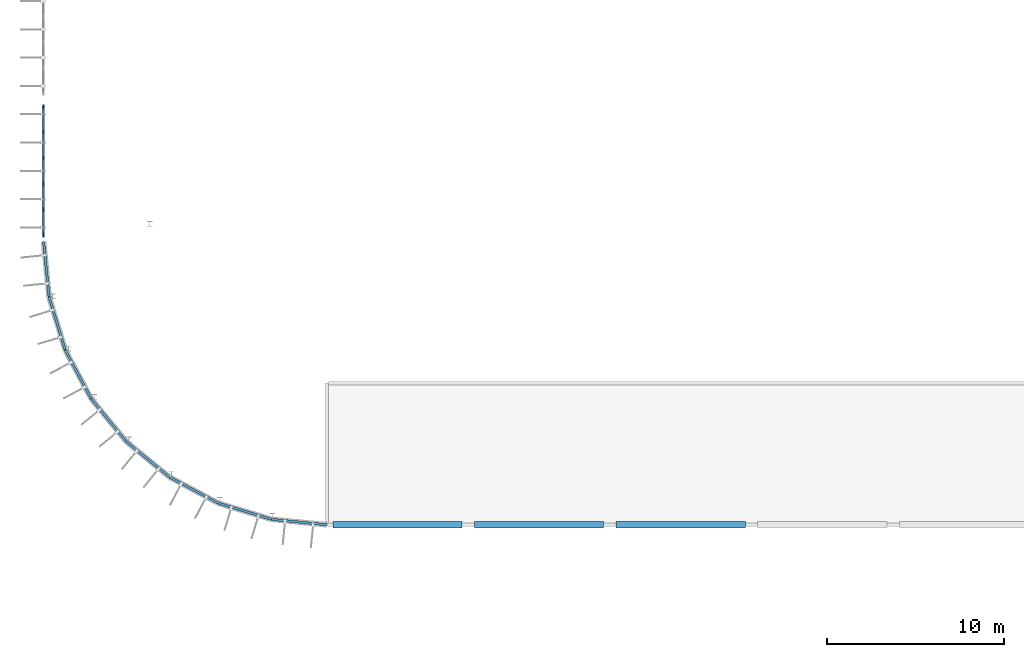
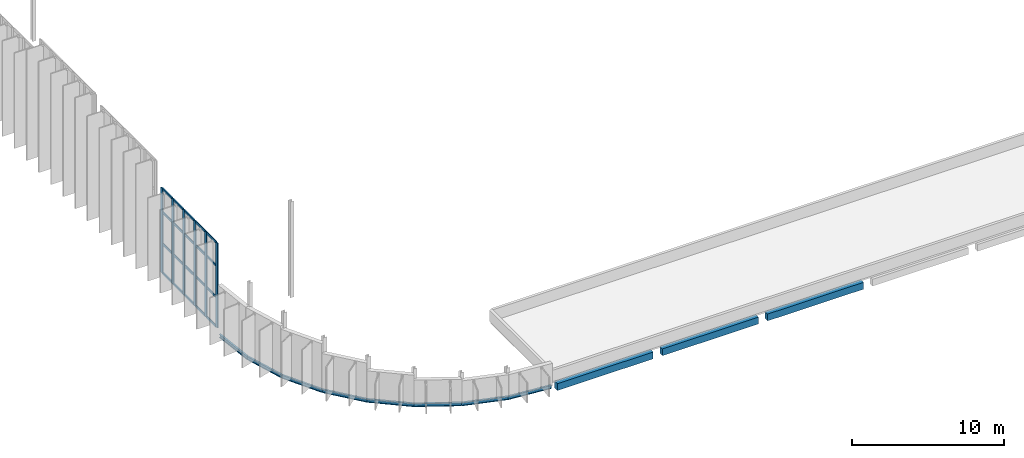
# One storey, part 4 of 38: 26 members, 11 beams, 1 element without a shape of its own.
"""IFC4 building model written with IfcOpenShell, lengths in metres."""

from ifc_helpers import new_model, si_unit, direction, frame, origin, origin_2d, place, context, subcontext, project, spatial, rectangle, i_section, extrude, material, layer, layer_set, material_profile, profile_set, type_object, element, aggregate, save


model = new_model("IFC4")

# Units and contexts
model_context = context("Model", 3, precision=1e-05, world=origin(), true_north=direction((0.0, 1.0)))
body_context = subcontext(model_context, "Body", "Model", "MODEL_VIEW")
ifc_project = project(units=[si_unit("LENGTHUNIT", "METRE"), si_unit("AREAUNIT", "SQUARE_METRE"), si_unit("VOLUMEUNIT", "CUBIC_METRE"), si_unit("PLANEANGLEUNIT", "RADIAN"), si_unit("MASSUNIT", "GRAM", prefix="KILO")], contexts=[model_context])

# Site, building, storey
site_placement = place(None, origin())
site = spatial("IfcSite", under=ifc_project, at=site_placement, CompositionType="ELEMENT")
building_placement = place(site_placement, origin())
building = spatial("IfcBuilding", under=site, at=building_placement, Name="Drelvana Railside Aquatics Centre", CompositionType="ELEMENT")
storey_placement = place(building_placement, frame((0.0, 0.0, 14.39990234375)))
storey = spatial("IfcBuildingStorey", under=building, at=storey_placement, Name="L03", CompositionType="ELEMENT", Elevation=14.39990234375)

# Curtain wall, members
ifc_material_1 = material(Name="Bronze-anodised aluminium curtain wall", Category="aluminium")
ifc_layer = layer(ifc_material_1, 0.219970703125, Name="Bronze-anodised aluminium curtain wall")
ifc_layer_set = layer_set([ifc_layer], Name="Bronze-anodised aluminium curtain wall")
curtain_wall_type = type_object("IfcCurtainWallType", Name="CW-Z3-HIGH", PredefinedType="NOTDEFINED", material=ifc_layer_set)
curtain_wall_placement = place(storey_placement, origin())
curtain_wall = element("IfcCurtainWall", 1, at=curtain_wall_placement, inside=storey, type_object=curtain_wall_type, Name="Curtain wall CW-03-044", PredefinedType="NOTDEFINED")
ifc_material_2 = material(Name="Bronze-anodised aluminium 6063-T6", Category="aluminium")
ifc_material_profile_1 = material_profile(ifc_material_2, rectangle(XDim=0.080078125, YDim=0.25, at=origin_2d()), Name="ALU-M 80x250")
ifc_profile_set_1 = profile_set([ifc_material_profile_1], Name="Bronze-anodised aluminium 6063-T6")
member_type_1 = type_object("IfcMemberType", Name="CW-Z3-HIGH-MUL", PredefinedType="MULLION", material=ifc_profile_set_1)
member_1_placement = place(storey_placement, frame((0.0, 32.384033203125, -0.005859375), z_axis=(0.0, 0.0, 1.0), x_axis=(-1.0, 0.0, 0.0)))
member_1 = element("IfcMember", 2, at=member_1_placement, type_object=member_type_1, Name="CW-03 mullion 1", PredefinedType="MULLION", context=body_context, shape_type="SweptSolid", body=[
    extrude(rectangle(XDim=0.080078125, YDim=0.25, at=origin_2d()), origin(), (0.0, 0.0, 1.0), 6.833984375),
])
member_2_placement = place(storey_placement, frame((0.0, 33.806396484375, -0.005859375), z_axis=(0.0, 0.0, 1.0), x_axis=(-1.0, 0.0, 0.0)))
member_2 = element("IfcMember", 3, at=member_2_placement, type_object=member_type_1, Name="CW-03 mullion 2", PredefinedType="MULLION", context=body_context, shape_type="SweptSolid", body=[
    extrude(rectangle(XDim=0.080078125, YDim=0.25, at=origin_2d()), origin(), (0.0, 0.0, 1.0), 6.833984375),
])
member_3_placement = place(storey_placement, frame((0.0, 35.268798828125, -0.005859375), z_axis=(0.0, 0.0, 1.0), x_axis=(-1.0, 0.0, 0.0)))
member_3 = element("IfcMember", 4, at=member_3_placement, type_object=member_type_1, Name="CW-03 mullion 3", PredefinedType="MULLION", context=body_context, shape_type="SweptSolid", body=[
    extrude(rectangle(XDim=0.080078125, YDim=0.25, at=origin_2d()), origin(), (0.0, 0.0, 1.0), 6.833984375),
])
member_4_placement = place(storey_placement, frame((0.0, 36.731201171875, -0.005859375), z_axis=(0.0, 0.0, 1.0), x_axis=(-1.0, 0.0, 0.0)))
member_4 = element("IfcMember", 5, at=member_4_placement, type_object=member_type_1, Name="CW-03 mullion 4", PredefinedType="MULLION", context=body_context, shape_type="SweptSolid", body=[
    extrude(rectangle(XDim=0.080078125, YDim=0.25, at=origin_2d()), origin(), (0.0, 0.0, 1.0), 6.833984375),
])
member_5_placement = place(storey_placement, frame((0.0, 38.193603515625, -0.005859375), z_axis=(0.0, 0.0, 1.0), x_axis=(-1.0, 0.0, 0.0)))
member_5 = element("IfcMember", 6, at=member_5_placement, type_object=member_type_1, Name="CW-03 mullion 5", PredefinedType="MULLION", context=body_context, shape_type="SweptSolid", body=[
    extrude(rectangle(XDim=0.080078125, YDim=0.25, at=origin_2d()), origin(), (0.0, 0.0, 1.0), 6.833984375),
])
member_6_placement = place(storey_placement, frame((0.0, 39.615966796875, -0.005859375), z_axis=(0.0, 0.0, 1.0), x_axis=(-1.0, 0.0, 0.0)))
member_6 = element("IfcMember", 7, at=member_6_placement, type_object=member_type_1, Name="CW-03 mullion 6", PredefinedType="MULLION", context=body_context, shape_type="SweptSolid", body=[
    extrude(rectangle(XDim=0.080078125, YDim=0.25, at=origin_2d()), origin(), (0.0, 0.0, 1.0), 6.833984375),
])
ifc_material_profile_2 = material_profile(ifc_material_2, rectangle(XDim=0.179931640625, YDim=0.074951171875, at=origin_2d()), Name="ALU-T 75x180")
ifc_profile_set_2 = profile_set([ifc_material_profile_2], Name="Bronze-anodised aluminium 6063-T6")
member_type_2 = type_object("IfcMemberType", Name="CW-Z3-HIGH-TRN", PredefinedType="USERDEFINED", material=ifc_profile_set_2)
member_7_placement = place(storey_placement, frame((0.0, 32.4189453125, 0.031494140625), z_axis=(0.0, 1.0, 0.0), x_axis=(0.0, 0.0, 1.0)))
member_7 = element("IfcMember", 8, at=member_7_placement, type_object=member_type_2, Name="CW-03 transom 1.1", ObjectType="TRANSOM", PredefinedType="USERDEFINED", context=body_context, shape_type="SweptSolid", body=[
    extrude(rectangle(XDim=0.179931640625, YDim=0.074951171875, at=origin_2d()), origin(), (0.0, 0.0, 1.0), 1.3525390625),
])
member_8_placement = place(storey_placement, frame((0.0, 32.4189453125, 2.385986328125), z_axis=(0.0, 1.0, 0.0), x_axis=(0.0, 0.0, 1.0)))
member_8 = element("IfcMember", 9, at=member_8_placement, type_object=member_type_2, Name="CW-03 transom 1.2", ObjectType="TRANSOM", PredefinedType="USERDEFINED", context=body_context, shape_type="SweptSolid", body=[
    extrude(rectangle(XDim=0.179931640625, YDim=0.074951171875, at=origin_2d()), origin(), (0.0, 0.0, 1.0), 1.3525390625),
])
member_9_placement = place(storey_placement, frame((0.0, 32.4189453125, 4.9140625), z_axis=(0.0, 1.0, 0.0), x_axis=(0.0, 0.0, 1.0)))
member_9 = element("IfcMember", 10, at=member_9_placement, type_object=member_type_2, Name="CW-03 transom 1.3", ObjectType="TRANSOM", PredefinedType="USERDEFINED", context=body_context, shape_type="SweptSolid", body=[
    extrude(rectangle(XDim=0.179931640625, YDim=0.074951171875, at=origin_2d()), origin(), (0.0, 0.0, 1.0), 1.3525390625),
])
member_10_placement = place(storey_placement, frame((0.0, 32.4189453125, 6.79052734375), z_axis=(0.0, 1.0, 0.0), x_axis=(0.0, 0.0, 1.0)))
member_10 = element("IfcMember", 11, at=member_10_placement, type_object=member_type_2, Name="CW-03 transom 1.4", ObjectType="TRANSOM", PredefinedType="USERDEFINED", context=body_context, shape_type="SweptSolid", body=[
    extrude(rectangle(XDim=0.179931640625, YDim=0.074951171875, at=origin_2d()), origin(), (0.0, 0.0, 1.0), 1.3525390625),
])
member_11_placement = place(storey_placement, frame((0.0, 33.84130859375, 0.031494140625), z_axis=(0.0, 1.0, 0.0), x_axis=(0.0, 0.0, 1.0)))
member_11 = element("IfcMember", 12, at=member_11_placement, type_object=member_type_2, Name="CW-03 transom 2.1", ObjectType="TRANSOM", PredefinedType="USERDEFINED", context=body_context, shape_type="SweptSolid", body=[
    extrude(rectangle(XDim=0.179931640625, YDim=0.074951171875, at=origin_2d()), origin(), (0.0, 0.0, 1.0), 1.392578125),
])
member_12_placement = place(storey_placement, frame((0.0, 33.84130859375, 2.385986328125), z_axis=(0.0, 1.0, 0.0), x_axis=(0.0, 0.0, 1.0)))
member_12 = element("IfcMember", 13, at=member_12_placement, type_object=member_type_2, Name="CW-03 transom 2.2", ObjectType="TRANSOM", PredefinedType="USERDEFINED", context=body_context, shape_type="SweptSolid", body=[
    extrude(rectangle(XDim=0.179931640625, YDim=0.074951171875, at=origin_2d()), origin(), (0.0, 0.0, 1.0), 1.392578125),
])
member_13_placement = place(storey_placement, frame((0.0, 33.84130859375, 4.9140625), z_axis=(0.0, 1.0, 0.0), x_axis=(0.0, 0.0, 1.0)))
member_13 = element("IfcMember", 14, at=member_13_placement, type_object=member_type_2, Name="CW-03 transom 2.3", ObjectType="TRANSOM", PredefinedType="USERDEFINED", context=body_context, shape_type="SweptSolid", body=[
    extrude(rectangle(XDim=0.179931640625, YDim=0.074951171875, at=origin_2d()), origin(), (0.0, 0.0, 1.0), 1.392578125),
])
member_14_placement = place(storey_placement, frame((0.0, 33.84130859375, 6.79052734375), z_axis=(0.0, 1.0, 0.0), x_axis=(0.0, 0.0, 1.0)))
member_14 = element("IfcMember", 15, at=member_14_placement, type_object=member_type_2, Name="CW-03 transom 2.4", ObjectType="TRANSOM", PredefinedType="USERDEFINED", context=body_context, shape_type="SweptSolid", body=[
    extrude(rectangle(XDim=0.179931640625, YDim=0.074951171875, at=origin_2d()), origin(), (0.0, 0.0, 1.0), 1.392578125),
])
member_15_placement = place(storey_placement, frame((0.0, 35.3037109375, 0.031494140625), z_axis=(0.0, 1.0, 0.0), x_axis=(0.0, 0.0, 1.0)))
member_15 = element("IfcMember", 16, at=member_15_placement, type_object=member_type_2, Name="CW-03 transom 3.1", ObjectType="TRANSOM", PredefinedType="USERDEFINED", context=body_context, shape_type="SweptSolid", body=[
    extrude(rectangle(XDim=0.179931640625, YDim=0.074951171875, at=origin_2d()), origin(), (0.0, 0.0, 1.0), 1.392578125),
])
member_16_placement = place(storey_placement, frame((0.0, 35.3037109375, 2.385986328125), z_axis=(0.0, 1.0, 0.0), x_axis=(0.0, 0.0, 1.0)))
member_16 = element("IfcMember", 17, at=member_16_placement, type_object=member_type_2, Name="CW-03 transom 3.2", ObjectType="TRANSOM", PredefinedType="USERDEFINED", context=body_context, shape_type="SweptSolid", body=[
    extrude(rectangle(XDim=0.179931640625, YDim=0.074951171875, at=origin_2d()), origin(), (0.0, 0.0, 1.0), 1.392578125),
])
member_17_placement = place(storey_placement, frame((0.0, 35.3037109375, 4.9140625), z_axis=(0.0, 1.0, 0.0), x_axis=(0.0, 0.0, 1.0)))
member_17 = element("IfcMember", 18, at=member_17_placement, type_object=member_type_2, Name="CW-03 transom 3.3", ObjectType="TRANSOM", PredefinedType="USERDEFINED", context=body_context, shape_type="SweptSolid", body=[
    extrude(rectangle(XDim=0.179931640625, YDim=0.074951171875, at=origin_2d()), origin(), (0.0, 0.0, 1.0), 1.392578125),
])
member_18_placement = place(storey_placement, frame((0.0, 35.3037109375, 6.79052734375), z_axis=(0.0, 1.0, 0.0), x_axis=(0.0, 0.0, 1.0)))
member_18 = element("IfcMember", 19, at=member_18_placement, type_object=member_type_2, Name="CW-03 transom 3.4", ObjectType="TRANSOM", PredefinedType="USERDEFINED", context=body_context, shape_type="SweptSolid", body=[
    extrude(rectangle(XDim=0.179931640625, YDim=0.074951171875, at=origin_2d()), origin(), (0.0, 0.0, 1.0), 1.392578125),
])
member_19_placement = place(storey_placement, frame((0.0, 36.76611328125, 0.031494140625), z_axis=(0.0, 1.0, 0.0), x_axis=(0.0, 0.0, 1.0)))
member_19 = element("IfcMember", 20, at=member_19_placement, type_object=member_type_2, Name="CW-03 transom 4.1", ObjectType="TRANSOM", PredefinedType="USERDEFINED", context=body_context, shape_type="SweptSolid", body=[
    extrude(rectangle(XDim=0.179931640625, YDim=0.074951171875, at=origin_2d()), origin(), (0.0, 0.0, 1.0), 1.392578125),
])
member_20_placement = place(storey_placement, frame((0.0, 36.76611328125, 2.385986328125), z_axis=(0.0, 1.0, 0.0), x_axis=(0.0, 0.0, 1.0)))
member_20 = element("IfcMember", 21, at=member_20_placement, type_object=member_type_2, Name="CW-03 transom 4.2", ObjectType="TRANSOM", PredefinedType="USERDEFINED", context=body_context, shape_type="SweptSolid", body=[
    extrude(rectangle(XDim=0.179931640625, YDim=0.074951171875, at=origin_2d()), origin(), (0.0, 0.0, 1.0), 1.392578125),
])
member_21_placement = place(storey_placement, frame((0.0, 36.76611328125, 4.9140625), z_axis=(0.0, 1.0, 0.0), x_axis=(0.0, 0.0, 1.0)))
member_21 = element("IfcMember", 22, at=member_21_placement, type_object=member_type_2, Name="CW-03 transom 4.3", ObjectType="TRANSOM", PredefinedType="USERDEFINED", context=body_context, shape_type="SweptSolid", body=[
    extrude(rectangle(XDim=0.179931640625, YDim=0.074951171875, at=origin_2d()), origin(), (0.0, 0.0, 1.0), 1.392578125),
])
member_22_placement = place(storey_placement, frame((0.0, 36.76611328125, 6.79052734375), z_axis=(0.0, 1.0, 0.0), x_axis=(0.0, 0.0, 1.0)))
member_22 = element("IfcMember", 23, at=member_22_placement, type_object=member_type_2, Name="CW-03 transom 4.4", ObjectType="TRANSOM", PredefinedType="USERDEFINED", context=body_context, shape_type="SweptSolid", body=[
    extrude(rectangle(XDim=0.179931640625, YDim=0.074951171875, at=origin_2d()), origin(), (0.0, 0.0, 1.0), 1.392578125),
])
member_23_placement = place(storey_placement, frame((0.0, 38.228515625, 0.031494140625), z_axis=(0.0, 1.0, 0.0), x_axis=(0.0, 0.0, 1.0)))
member_23 = element("IfcMember", 24, at=member_23_placement, type_object=member_type_2, Name="CW-03 transom 5.1", ObjectType="TRANSOM", PredefinedType="USERDEFINED", context=body_context, shape_type="SweptSolid", body=[
    extrude(rectangle(XDim=0.179931640625, YDim=0.074951171875, at=origin_2d()), origin(), (0.0, 0.0, 1.0), 1.3525390625),
])
member_24_placement = place(storey_placement, frame((0.0, 38.228515625, 2.385986328125), z_axis=(0.0, 1.0, 0.0), x_axis=(0.0, 0.0, 1.0)))
member_24 = element("IfcMember", 25, at=member_24_placement, type_object=member_type_2, Name="CW-03 transom 5.2", ObjectType="TRANSOM", PredefinedType="USERDEFINED", context=body_context, shape_type="SweptSolid", body=[
    extrude(rectangle(XDim=0.179931640625, YDim=0.074951171875, at=origin_2d()), origin(), (0.0, 0.0, 1.0), 1.3525390625),
])
member_25_placement = place(storey_placement, frame((0.0, 38.228515625, 4.9140625), z_axis=(0.0, 1.0, 0.0), x_axis=(0.0, 0.0, 1.0)))
member_25 = element("IfcMember", 26, at=member_25_placement, type_object=member_type_2, Name="CW-03 transom 5.3", ObjectType="TRANSOM", PredefinedType="USERDEFINED", context=body_context, shape_type="SweptSolid", body=[
    extrude(rectangle(XDim=0.179931640625, YDim=0.074951171875, at=origin_2d()), origin(), (0.0, 0.0, 1.0), 1.3525390625),
])
member_26_placement = place(storey_placement, frame((0.0, 38.228515625, 6.79052734375), z_axis=(0.0, 1.0, 0.0), x_axis=(0.0, 0.0, 1.0)))
member_26 = element("IfcMember", 27, at=member_26_placement, type_object=member_type_2, Name="CW-03 transom 5.4", ObjectType="TRANSOM", PredefinedType="USERDEFINED", context=body_context, shape_type="SweptSolid", body=[
    extrude(rectangle(XDim=0.179931640625, YDim=0.074951171875, at=origin_2d()), origin(), (0.0, 0.0, 1.0), 1.3525390625),
])
aggregate(curtain_wall, [member_1, member_2, member_3, member_4, member_5, member_6, member_7, member_8, member_9, member_10, member_11, member_12, member_13, member_14, member_15, member_16, member_17, member_18, member_19, member_20, member_21, member_22, member_23, member_24, member_25, member_26])

# Beams
ifc_material_3 = material(Name="Concrete C40/50", Category="concrete")
ifc_material_profile_3 = material_profile(ifc_material_3, rectangle(XDim=0.35009765625, YDim=0.550048828125, at=origin_2d()), Name="RC 350x550")
ifc_profile_set_3 = profile_set([ifc_material_profile_3], Name="Concrete C40/50")
beam_type_1 = type_object("IfcBeamType", Name="STR-BM-BM-01-RC-350x550", PredefinedType="BEAM", material=ifc_profile_set_3)
for number, where, z_axis, x_axis, name in (
    (28, (16.35009765625, 16.0, -0.514892578125), (1.0, 0.0, 0.0), (0.0, 1.0, 0.0), "Girder BM-01 (L03)"),
    (29, (24.35009765625, 16.0, -0.514892578125), (1.0, 0.0, 0.0), (0.0, 1.0, 0.0), "Girder BM-01 (L03)"),
    (30, (32.35009765625, 16.0, -0.514892578125), (1.0, 0.0, 0.0), (0.0, 1.0, 0.0), "Girder BM-01 (L03)"),
):
    element("IfcBeam", number, at=place(storey_placement, frame(where, z_axis=z_axis, x_axis=x_axis)), inside=storey, type_object=beam_type_1, Name=name, PredefinedType="BEAM", context=body_context, shape_type="SweptSolid", body=[
        extrude(rectangle(XDim=0.35009765625, YDim=0.550048828125, at=origin_2d()), origin(), (0.0, 0.0, 1.0), 7.2998046875),
    ])
ifc_material_4 = material(Name="Structural steel S355", Category="steel")
ifc_material_profile_4 = material_profile(ifc_material_4, i_section(OverallWidth=0.135009765625, OverallDepth=0.27001953125, WebThickness=0.006591796875, FlangeThickness=0.01025390625, at=origin_2d()), Name="IPE 270")
ifc_profile_set_4 = profile_set([ifc_material_profile_4], Name="Structural steel S355")
beam_type_2 = type_object("IfcBeamType", Name="STR-SBM-SJ-02-IPE-270", PredefinedType="JOIST", material=ifc_profile_set_4)
for number, where, z_axis, x_axis, name in (
    (31, (0.0, 32.0, -0.434814453125), (0.098000751113, -0.995186340733, 0.0), (0.995186340733, 0.098000751113, 0.0), "V1SW L03 curved spandrel beam 1"),
    (32, (0.307373046875, 28.878662109375, -0.434814453125), (0.290331426072, -0.956926153386, 0.0), (0.956926153386, 0.290331426072, 0.0), "V1SW L03 curved spandrel beam 2"),
):
    element("IfcBeam", number, at=place(storey_placement, frame(where, z_axis=z_axis, x_axis=x_axis)), inside=storey, type_object=beam_type_2, Name=name, PredefinedType="JOIST", context=body_context, shape_type="SweptSolid", body=[
        extrude(i_section(OverallWidth=0.135009765625, OverallDepth=0.27001953125, WebThickness=0.006591796875, FlangeThickness=0.01025390625, at=origin_2d()), origin(), (0.0, 0.0, 1.0), 3.136474609375),
    ])
beam_1_placement = place(storey_placement, frame((1.218017578125, 25.877197265625, -0.434814453125), z_axis=(0.471363701892, -0.881938921093, 0.0), x_axis=(0.881938921093, 0.471363701892, 0.0)))
element("IfcBeam", 33, at=beam_1_placement, inside=storey, type_object=beam_type_2, Name="V1SW L03 curved spandrel beam 3", PredefinedType="JOIST", context=body_context, shape_type="SweptSolid", body=[
    extrude(i_section(OverallWidth=0.135009765625, OverallDepth=0.27001953125, WebThickness=0.006591796875, FlangeThickness=0.01025390625, at=origin_2d()), origin(), (0.0, 0.0, 1.0), 3.13671875),
])
for number, where, z_axis, x_axis, name in (
    (34, (2.696533203125, 23.11083984375, -0.434814453125), (0.634385792339, -0.773016601683, 0.0), (0.773016601683, 0.634385792339, 0.0), "V1SW L03 curved spandrel beam 4"),
    (35, (4.686279296875, 20.686279296875, -0.434814453125), (0.773016601683, -0.634385792339, 0.0), (0.634385792339, 0.773016601683, 0.0), "V1SW L03 curved spandrel beam 5"),
):
    element("IfcBeam", number, at=place(storey_placement, frame(where, z_axis=z_axis, x_axis=x_axis)), inside=storey, type_object=beam_type_2, Name=name, PredefinedType="JOIST", context=body_context, shape_type="SweptSolid", body=[
        extrude(i_section(OverallWidth=0.135009765625, OverallDepth=0.27001953125, WebThickness=0.006591796875, FlangeThickness=0.01025390625, at=origin_2d()), origin(), (0.0, 0.0, 1.0), 3.136474609375),
    ])
beam_2_placement = place(storey_placement, frame((7.11083984375, 18.696533203125, -0.434814453125), z_axis=(0.881938921093, -0.471363701892, 0.0), x_axis=(0.471363701892, 0.881938921093, 0.0)))
element("IfcBeam", 36, at=beam_2_placement, inside=storey, type_object=beam_type_2, Name="V1SW L03 curved spandrel beam 6", PredefinedType="JOIST", context=body_context, shape_type="SweptSolid", body=[
    extrude(i_section(OverallWidth=0.135009765625, OverallDepth=0.27001953125, WebThickness=0.006591796875, FlangeThickness=0.01025390625, at=origin_2d()), origin(), (0.0, 0.0, 1.0), 3.13671875),
])
for number, where, z_axis, x_axis, name in (
    (37, (9.877197265625, 17.218017578125, -0.434814453125), (0.956926153386, -0.290331426072, 0.0), (0.290331426072, 0.956926153386, 0.0), "V1SW L03 curved spandrel beam 7"),
    (38, (12.878662109375, 16.307373046875, -0.434814453125), (0.995186340733, -0.098000751113, 0.0), (0.098000751113, 0.995186340733, 0.0), "V1SW L03 curved spandrel beam 8"),
):
    element("IfcBeam", number, at=place(storey_placement, frame(where, z_axis=z_axis, x_axis=x_axis)), inside=storey, type_object=beam_type_2, Name=name, PredefinedType="JOIST", context=body_context, shape_type="SweptSolid", body=[
        extrude(i_section(OverallWidth=0.135009765625, OverallDepth=0.27001953125, WebThickness=0.006591796875, FlangeThickness=0.01025390625, at=origin_2d()), origin(), (0.0, 0.0, 1.0), 3.136474609375),
    ])

save(model, "model.ifc")
